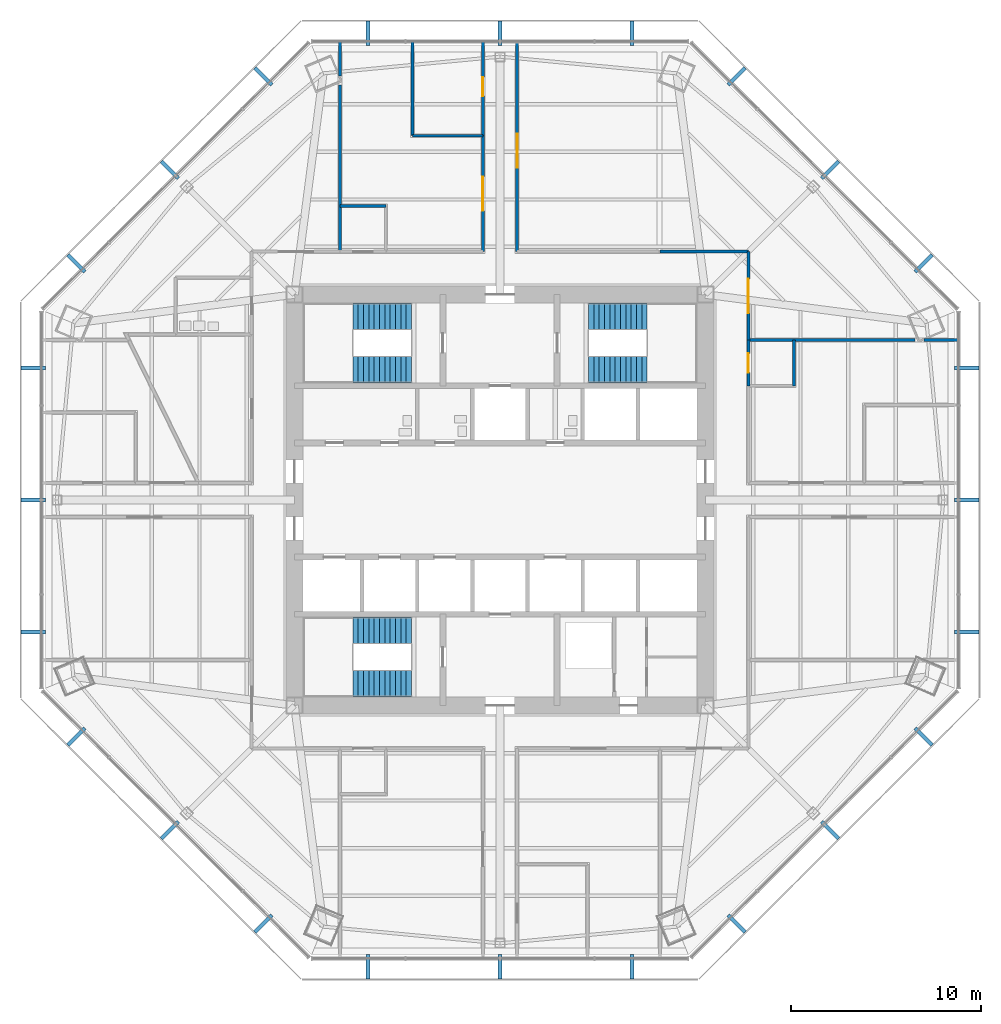
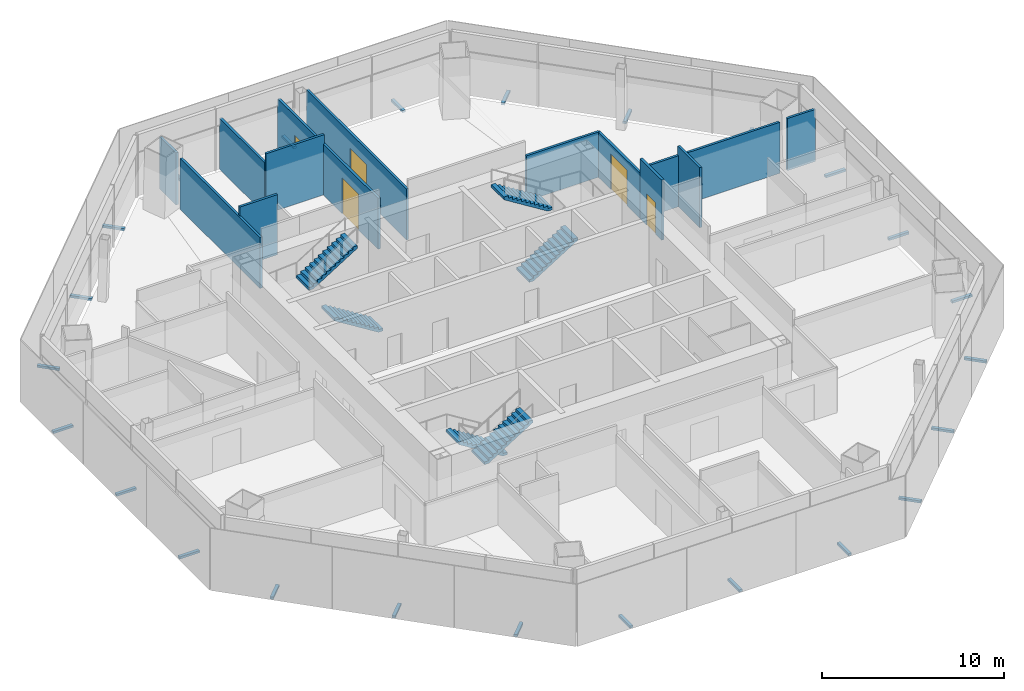
# One storey, part 11 of 14: 24 discrete accessories, 14 walls, 6 stair flights, 5 doors, 5 openings, 3 elements without a shape of their own.
"""IFC4 building model written with IfcOpenShell, lengths in metres."""

from ifc_helpers import new_model, si_unit, direction, frame, frame_2d, origin, origin_2d, place, context, subcontext, project, spatial, polyline, rectangle, outline, extrude, source, transform, mapped, material, layer, layer_set, type_object, type_shapes, element, fill, aggregate, save


model = new_model("IFC4")

# Units and contexts
model_context = context("Model", 3, precision=1e-05, world=origin(), true_north=direction((0.0, 1.0)))
body_context = subcontext(model_context, "Body", "Model", "MODEL_VIEW")
ifc_project = project(units=[si_unit("LENGTHUNIT", "METRE"), si_unit("AREAUNIT", "SQUARE_METRE"), si_unit("VOLUMEUNIT", "CUBIC_METRE"), si_unit("PLANEANGLEUNIT", "RADIAN"), si_unit("MASSUNIT", "GRAM", prefix="KILO")], contexts=[model_context])

# Site, building, storey
site_placement = place(None, origin())
site = spatial("IfcSite", under=ifc_project, at=site_placement, CompositionType="ELEMENT")
building_placement = place(site_placement, origin())
building = spatial("IfcBuilding", under=site, at=building_placement, Name="Mashrafa Tower", CompositionType="ELEMENT")
storey_placement = place(building_placement, frame((0.0, 0.0, 138.60009765625)))
storey = spatial("IfcBuildingStorey", under=building, at=storey_placement, Name="L31", CompositionType="ELEMENT", Elevation=138.60009765625)

# Wall, opening, door
ifc_material_1 = material(Name="Gypsum board on steel studs", Category="steel")
ifc_layer_1 = layer(ifc_material_1, 0.14990234375)
ifc_layer_set_1 = layer_set([ifc_layer_1], Name="Corridor partition 150 1 hr")
wall_type_1 = type_object("IfcWallType", Name="Corridor partition 150 1 hr", PredefinedType="PARTITIONING", material=ifc_layer_set_1)
wall_1_placement = place(storey_placement, frame((-0.89990234375, 24.077880859375, 0.0), z_axis=(0.0, 0.0, 1.0), x_axis=(0.0, -1.0, 0.0)))
wall_1 = element("IfcWall", 1, at=wall_1_placement, inside=storey, type_object=wall_type_1, Name="Corridor wall L31-006", PredefinedType="PARTITIONING", context=body_context, shape_type="SweptSolid", body=[
    extrude(rectangle(XDim=4.93505859375, YDim=0.14990234375, at=frame_2d((2.467529296875, 0.0))), origin(), (0.0, 0.0, 1.0), 3.425537109375),
])
opening_1_placement = place(wall_1_placement, frame((1.849609375, 0.0, 0.0)))
opening_1 = element("IfcOpeningElement", 2, at=opening_1_placement, cuts=wall_1, Name="Opening 31.005", PredefinedType="OPENING", context=body_context, shape_type="SweptSolid", body=[
    extrude(rectangle(XDim=1.0, YDim=2.10009765625, at=frame_2d((0.5, 1.050048828125))), frame((0.0, 0.0849609375, 0.0), z_axis=(0.0, -1.0, 0.0), x_axis=(1.0, 0.0, 0.0)), (0.0, 0.0, 1.0), 0.169921875),
])
ifc_material_2 = material(Name="Timber door", Category="wood")
door_type_1 = type_object("IfcDoorType", Name="Door 1000 x 2100", OperationType="USERDEFINED", PredefinedType="DOOR", material=ifc_material_2)
door_1_placement = place(opening_1_placement, frame((1.0, 0.0, 0.0), z_axis=(0.0, 0.0, 1.0), x_axis=(-1.0, 0.0, 0.0)))
door_1 = element("IfcDoor", 3, at=door_1_placement, inside=storey, type_object=door_type_1, Name="Meeting Room 31-N door", OperationType="SINGLE_SWING_RIGHT", OverallHeight=2.10009765625, OverallWidth=1.0, PredefinedType="DOOR", context=body_context, shape_type="SweptSolid", body=[
    extrude(rectangle(XDim=1.0, YDim=2.10009765625, at=frame_2d((0.5, 1.050048828125))), frame((0.0, 0.02490234375, 0.0), z_axis=(0.0, -1.0, 0.0), x_axis=(1.0, 0.0, 0.0)), (0.0, 0.0, 1.0), 0.050048828125),
])
fill(opening_1, door_1)

wall_2_placement = place(storey_placement, frame((13.050048828125, 5.9990234375, 0.0), z_axis=(0.0, 0.0, 1.0), x_axis=(0.0, 1.0, 0.0)))
wall_2 = element("IfcWall", 4, at=wall_2_placement, inside=storey, type_object=wall_type_1, Name="Corridor wall L31-008", PredefinedType="PARTITIONING", context=body_context, shape_type="SweptSolid", body=[
    extrude(rectangle(XDim=2.40185546875, YDim=0.14990234375, at=frame_2d((1.200927734375, 0.0))), origin(), (0.0, 0.0, 1.0), 4.034912109375),
])
opening_2_placement = place(wall_2_placement, frame((0.700927734375, 0.0, 0.0)))
opening_2 = element("IfcOpeningElement", 5, at=opening_2_placement, cuts=wall_2, Name="Opening 31.007", PredefinedType="OPENING", context=body_context, shape_type="SweptSolid", body=[
    extrude(rectangle(XDim=1.0, YDim=2.10009765625, at=frame_2d((0.5, 1.050048828125))), frame((0.0, 0.0849609375, 0.0), z_axis=(0.0, -1.0, 0.0), x_axis=(1.0, 0.0, 0.0)), (0.0, 0.0, 1.0), 0.169921875),
])
door_2_placement = place(opening_2_placement, frame((1.0, 0.0, 0.0), z_axis=(0.0, 0.0, 1.0), x_axis=(-1.0, 0.0, 0.0)))
door_2 = element("IfcDoor", 6, at=door_2_placement, inside=storey, type_object=door_type_1, Name="Kitchenette 31-E door", OperationType="SINGLE_SWING_RIGHT", OverallHeight=2.10009765625, OverallWidth=1.0, PredefinedType="DOOR", context=body_context, shape_type="SweptSolid", body=[
    extrude(rectangle(XDim=1.0, YDim=2.10009765625, at=frame_2d((0.5, 1.050048828125))), frame((0.0, 0.02490234375, 0.0), z_axis=(0.0, -1.0, 0.0), x_axis=(1.0, 0.0, 0.0)), (0.0, 0.0, 1.0), 0.050048828125),
])
fill(opening_2, door_2)

wall_3_placement = place(storey_placement, frame((0.89990234375, 13.050048828125, 0.0), z_axis=(0.0, 0.0, 1.0), x_axis=(0.0, 1.0, 0.0)))
wall_3 = element("IfcWall", 7, at=wall_3_placement, inside=storey, type_object=wall_type_1, Name="Corridor wall L31-012", PredefinedType="PARTITIONING", context=body_context, shape_type="SweptSolid", body=[
    extrude(rectangle(XDim=11.02783203125, YDim=0.14990234375, at=frame_2d((5.513916015625, 0.0))), origin(), (0.0, 0.0, 1.0), 3.425537109375),
])
opening_3_placement = place(wall_3_placement, frame((4.39697265625, 0.0, 0.0)))
opening_3 = element("IfcOpeningElement", 8, at=opening_3_placement, cuts=wall_3, Name="Opening 31.010", PredefinedType="OPENING", context=body_context, shape_type="SweptSolid", body=[
    extrude(rectangle(XDim=1.800048828125, YDim=2.39990234375, at=frame_2d((0.89990234375, 1.199951171875))), frame((0.0, 0.0849609375, 0.0), z_axis=(0.0, -1.0, 0.0), x_axis=(1.0, 0.0, 0.0)), (0.0, 0.0, 1.0), 0.169921875),
])
ifc_material_3 = material(Name="Timber door", Category="wood")
door_type_2 = type_object("IfcDoorType", Name="Door pair 1800 x 2400", OperationType="DOUBLE_DOOR_SINGLE_SWING", PredefinedType="DOOR", material=ifc_material_3)
door_3_placement = place(opening_3_placement, frame((1.800048828125, 0.0, 0.0), z_axis=(0.0, 0.0, 1.0), x_axis=(-1.0, 0.0, 0.0)))
door_3 = element("IfcDoor", 9, at=door_3_placement, inside=storey, type_object=door_type_2, Name="Office Suite 31-NE12 door", OperationType="DOUBLE_DOOR_SINGLE_SWING", OverallHeight=2.39990234375, OverallWidth=1.800048828125, PredefinedType="DOOR", context=body_context, shape_type="SweptSolid", body=[
    extrude(rectangle(XDim=1.800048828125, YDim=2.39990234375, at=frame_2d((0.89990234375, 1.199951171875))), frame((0.0, 0.02490234375, 0.0), z_axis=(0.0, -1.0, 0.0), x_axis=(1.0, 0.0, 0.0)), (0.0, 0.0, 1.0), 0.050048828125),
])
fill(opening_3, door_3)

wall_4_placement = place(storey_placement, frame((13.050048828125, 8.39892578125, 0.0), z_axis=(0.0, 0.0, 1.0), x_axis=(0.0, 1.0, 0.0)))
wall_4 = element("IfcWall", 10, at=wall_4_placement, inside=storey, type_object=wall_type_1, Name="Corridor wall L31-015", PredefinedType="PARTITIONING", context=body_context, shape_type="SweptSolid", body=[
    extrude(rectangle(XDim=4.651123046875, YDim=0.14990234375, at=frame_2d((2.32568359375, 0.0))), origin(), (0.0, 0.0, 1.0), 3.0419921875),
])
opening_4_placement = place(wall_4_placement, frame((1.425537109375, 0.0, 0.0)))
opening_4 = element("IfcOpeningElement", 11, at=opening_4_placement, cuts=wall_4, Name="Opening 31.012", PredefinedType="OPENING", context=body_context, shape_type="SweptSolid", body=[
    extrude(rectangle(XDim=1.800048828125, YDim=2.39990234375, at=frame_2d((0.89990234375, 1.199951171875))), frame((0.0, 0.0849609375, 0.0), z_axis=(0.0, -1.0, 0.0), x_axis=(1.0, 0.0, 0.0)), (0.0, 0.0, 1.0), 0.169921875),
])
door_4_placement = place(opening_4_placement, frame((1.800048828125, 0.0, 0.0), z_axis=(0.0, 0.0, 1.0), x_axis=(-1.0, 0.0, 0.0)))
door_4 = element("IfcDoor", 12, at=door_4_placement, inside=storey, type_object=door_type_2, Name="Office Suite 31-NE22 door", OperationType="DOUBLE_DOOR_SINGLE_SWING", OverallHeight=2.39990234375, OverallWidth=1.800048828125, PredefinedType="DOOR", context=body_context, shape_type="SweptSolid", body=[
    extrude(rectangle(XDim=1.800048828125, YDim=2.39990234375, at=frame_2d((0.89990234375, 1.199951171875))), frame((0.0, 0.02490234375, 0.0), z_axis=(0.0, -1.0, 0.0), x_axis=(1.0, 0.0, 0.0)), (0.0, 0.0, 1.0), 0.050048828125),
])
fill(opening_4, door_4)

# Wall
wall_5_placement = place(storey_placement, frame((13.050048828125, 13.050048828125, 0.0), z_axis=(0.0, 0.0, 1.0), x_axis=(-1.0, 0.0, 0.0)))
element("IfcWall", 13, at=wall_5_placement, inside=storey, type_object=wall_type_1, Name="Corridor wall L31-016", PredefinedType="PARTITIONING", context=body_context, shape_type="SweptSolid", body=[
    extrude(rectangle(XDim=4.651123046875, YDim=0.14990234375, at=frame_2d((2.32568359375, 0.0))), origin(), (0.0, 0.0, 1.0), 3.0419921875),
])

# Wall, opening, door
wall_6_placement = place(storey_placement, frame((-0.89990234375, 19.14501953125, 0.0), z_axis=(0.0, 0.0, 1.0), x_axis=(0.0, -1.0, 0.0)))
wall_6 = element("IfcWall", 14, at=wall_6_placement, inside=storey, type_object=wall_type_1, Name="Corridor wall L31-017", PredefinedType="PARTITIONING", context=body_context, shape_type="SweptSolid", body=[
    extrude(rectangle(XDim=6.094970703125, YDim=0.14990234375, at=frame_2d((3.04736328125, 0.0))), origin(), (0.0, 0.0, 1.0), 3.425537109375),
])
opening_5_placement = place(wall_6_placement, frame((2.1474609375, 0.0, 0.0)))
opening_5 = element("IfcOpeningElement", 15, at=opening_5_placement, cuts=wall_6, Name="Opening 31.013", PredefinedType="OPENING", context=body_context, shape_type="SweptSolid", body=[
    extrude(rectangle(XDim=1.800048828125, YDim=2.39990234375, at=frame_2d((0.89990234375, 1.199951171875))), frame((0.0, 0.0849609375, 0.0), z_axis=(0.0, -1.0, 0.0), x_axis=(1.0, 0.0, 0.0)), (0.0, 0.0, 1.0), 0.169921875),
])
door_5_placement = place(opening_5_placement, frame((1.800048828125, 0.0, 0.0), z_axis=(0.0, 0.0, 1.0), x_axis=(-1.0, 0.0, 0.0)))
door_5 = element("IfcDoor", 16, at=door_5_placement, inside=storey, type_object=door_type_2, Name="Office Suite 31-NW12 door", OperationType="DOUBLE_DOOR_SINGLE_SWING", OverallHeight=2.39990234375, OverallWidth=1.800048828125, PredefinedType="DOOR", context=body_context, shape_type="SweptSolid", body=[
    extrude(rectangle(XDim=1.800048828125, YDim=2.39990234375, at=frame_2d((0.89990234375, 1.199951171875))), frame((0.0, 0.02490234375, 0.0), z_axis=(0.0, -1.0, 0.0), x_axis=(1.0, 0.0, 0.0)), (0.0, 0.0, 1.0), 0.050048828125),
])
fill(opening_5, door_5)

# Walls
ifc_material_4 = material(Name="Gypsum board on steel studs", Category="steel")
ifc_layer_2 = layer(ifc_material_4, 0.14990234375)
ifc_layer_set_2 = layer_set([ifc_layer_2], Name="Partition 150")
wall_type_2 = type_object("IfcWallType", Name="Partition 150", PredefinedType="PARTITIONING", material=ifc_layer_set_2)
wall_7_placement = place(storey_placement, frame((-4.60009765625, 24.075927734375, 0.0), z_axis=(0.0, 0.0, 1.0), x_axis=(0.0, -1.0, 0.0)))
element("IfcWall", 17, at=wall_7_placement, inside=storey, type_object=wall_type_2, Name="Partition wall L31-044", PredefinedType="PARTITIONING", context=body_context, shape_type="SweptSolid", body=[
    extrude(rectangle(XDim=4.93212890625, YDim=0.14990234375, at=frame_2d((2.466064453125, 0.0))), origin(), (0.0, 0.0, 1.0), 3.425537109375),
])
wall_8_placement = place(storey_placement, frame((-4.60009765625, 19.143798828125, 0.0), z_axis=(0.0, 0.0, 1.0), x_axis=(1.0, 0.0, 0.0)))
element("IfcWall", 18, at=wall_8_placement, inside=storey, type_object=wall_type_2, Name="Partition wall L31-045", PredefinedType="PARTITIONING", context=body_context, shape_type="SweptSolid", body=[
    extrude(rectangle(XDim=3.7001953125, YDim=0.14990234375, at=frame_2d((1.85009765625, 0.0))), origin(), (0.0, 0.0, 1.0), 4.034912109375),
])
wall_9_placement = place(storey_placement, frame((15.449951171875, 6.0, 0.0), z_axis=(0.0, 0.0, 1.0), x_axis=(0.0, 1.0, 0.0)))
element("IfcWall", 19, at=wall_9_placement, inside=storey, type_object=wall_type_2, Name="Partition wall L31-049", PredefinedType="PARTITIONING", context=body_context, shape_type="SweptSolid", body=[
    extrude(rectangle(XDim=2.39990234375, YDim=0.14990234375, at=frame_2d((1.199951171875, 0.0))), origin(), (0.0, 0.0, 1.0), 4.034912109375),
])
wall_10_placement = place(storey_placement, frame((13.050048828125, 8.39990234375, 0.0), z_axis=(0.0, 0.0, 1.0), x_axis=(1.0, 0.0, 0.0)))
element("IfcWall", 20, at=wall_10_placement, inside=storey, type_object=wall_type_2, Name="Partition wall L31-050", PredefinedType="PARTITIONING", context=body_context, shape_type="SweptSolid", body=[
    extrude(rectangle(XDim=8.76025390625, YDim=0.14990234375, at=frame_2d((4.380126953125, 0.0))), origin(), (0.0, 0.0, 1.0), 3.425537109375),
])
wall_11_placement = place(storey_placement, frame((-6.0, 15.449951171875, 0.0), z_axis=(0.0, 0.0, 1.0), x_axis=(-1.0, 0.0, 0.0)))
element("IfcWall", 21, at=wall_11_placement, inside=storey, type_object=wall_type_2, Name="Partition wall L31-052", PredefinedType="PARTITIONING", context=body_context, shape_type="SweptSolid", body=[
    extrude(rectangle(XDim=2.39990234375, YDim=0.14990234375, at=frame_2d((1.199951171875, 0.0))), origin(), (0.0, 0.0, 1.0), 4.034912109375),
])
wall_12_placement = place(storey_placement, frame((-8.39990234375, 13.050048828125, 0.0), z_axis=(0.0, 0.0, 1.0), x_axis=(0.0, 1.0, 0.0)))
element("IfcWall", 22, at=wall_12_placement, inside=storey, type_object=wall_type_2, Name="Partition wall L31-053", PredefinedType="PARTITIONING", context=body_context, shape_type="SweptSolid", body=[
    extrude(rectangle(XDim=8.76025390625, YDim=0.14990234375, at=frame_2d((4.380126953125, 0.0))), origin(), (0.0, 0.0, 1.0), 3.425537109375),
])
for number, where, z_axis, x_axis, name in (
    (23, (24.075927734375, 8.39990234375, 0.0), (0.0, 0.0, 1.0), (-1.0, 0.0, 0.0), "Partition wall L31-057"),
    (24, (-8.39990234375, 24.075927734375, 0.0), (0.0, 0.0, 1.0), (0.0, -1.0, 0.0), "Partition wall L31-059"),
):
    element("IfcWall", number, at=place(storey_placement, frame(where, z_axis=z_axis, x_axis=x_axis)), inside=storey, type_object=wall_type_2, Name=name, PredefinedType="PARTITIONING", context=body_context, shape_type="SweptSolid", body=[
        extrude(rectangle(XDim=1.787109375, YDim=0.14990234375, at=frame_2d((0.8935546875, 0.0))), origin(), (0.0, 0.0, 1.0), 3.4990234375),
    ])

# Stair, stair flights
ifc_material_5 = material(Name="Exit stair 1400")
stair_type = type_object("IfcStairType", Name="Exit stair 1400", PredefinedType="HALF_TURN_STAIR", material=ifc_material_5)
stair_1_placement = place(storey_placement, origin())
stair_1 = element("IfcStair", 25, at=stair_1_placement, inside=storey, type_object=stair_type, Name="Stair S1 L31", PredefinedType="HALF_TURN_STAIR")
ifc_material_6 = material(Name="Concrete C32/40", Category="concrete")
stair_flight_type = type_object("IfcStairFlightType", Name="Stair flight 1400", PredefinedType="STRAIGHT", material=ifc_material_6)
stair_flight_1_placement = place(storey_placement, frame((-4.64990234375, 6.85009765625, 0.0), z_axis=(0.0, 0.0, 1.0), x_axis=(-1.0, 0.0, 0.0)))
stair_flight_1 = element("IfcStairFlight", 26, at=stair_flight_1_placement, type_object=stair_flight_type, Name="S1 flight 1", NumberOfRisers=12, NumberOfTreads=11, PredefinedType="STRAIGHT", RiserHeight=0.175, TreadLength=0.28, context=body_context, shape_type="SweptSolid", body=[
    extrude(outline(polyline([(0.0, 0.0), (0.0, 0.175048828125), (0.280029296875, 0.175048828125), (0.280029296875, 0.35009765625), (0.56005859375, 0.35009765625), (0.56005859375, 0.52490234375), (0.840087890625, 0.52490234375), (0.840087890625, 0.699951171875), (1.1201171875, 0.699951171875), (1.1201171875, 0.875), (1.39990234375, 0.875), (1.39990234375, 1.050048828125), (1.679931640625, 1.050048828125), (1.679931640625, 1.22509765625), (1.9599609375, 1.22509765625), (1.9599609375, 1.39990234375), (2.239990234375, 1.39990234375), (2.239990234375, 1.574951171875), (2.52001953125, 1.574951171875), (2.52001953125, 1.75), (2.800048828125, 1.75), (2.800048828125, 1.925048828125), (3.080078125, 1.925048828125), (3.080078125, 2.10009765625), (3.080078125, 1.748291015625), (0.28271484375, 0.0), (0.0, 0.0)])), frame((0.0, 0.699951171875, 0.0), z_axis=(0.0, -1.0, 0.0), x_axis=(1.0, 0.0, 0.0)), (0.0, 0.0, 1.0), 1.39990234375),
])
stair_flight_2_placement = place(storey_placement, frame((-7.72998046875, 9.64990234375, 2.099853515625), z_axis=(0.0, 0.0, 1.0), x_axis=(1.0, 0.0, 0.0)))
stair_flight_2 = element("IfcStairFlight", 27, at=stair_flight_2_placement, type_object=stair_flight_type, Name="S1 flight 2", NumberOfRisers=12, NumberOfTreads=11, PredefinedType="STRAIGHT", RiserHeight=0.175, TreadLength=0.28, context=body_context, shape_type="SweptSolid", body=[
    extrude(outline(polyline([(0.0, 0.0), (0.0, 0.175048828125), (0.280029296875, 0.175048828125), (0.280029296875, 0.35009765625), (0.56005859375, 0.35009765625), (0.56005859375, 0.52490234375), (0.840087890625, 0.52490234375), (0.840087890625, 0.699951171875), (1.1201171875, 0.699951171875), (1.1201171875, 0.875), (1.39990234375, 0.875), (1.39990234375, 1.050048828125), (1.679931640625, 1.050048828125), (1.679931640625, 1.22509765625), (1.9599609375, 1.22509765625), (1.9599609375, 1.39990234375), (2.239990234375, 1.39990234375), (2.239990234375, 1.574951171875), (2.52001953125, 1.574951171875), (2.52001953125, 1.75), (2.800048828125, 1.75), (2.800048828125, 1.925048828125), (3.080078125, 1.925048828125), (3.080078125, 2.10009765625), (3.080078125, 1.748291015625), (0.28271484375, 0.0), (0.0, 0.0)])), frame((0.0, 0.699951171875, 0.0), z_axis=(0.0, -1.0, 0.0), x_axis=(1.0, 0.0, 0.0)), (0.0, 0.0, 1.0), 1.39990234375),
])
aggregate(stair_1, [stair_flight_1, stair_flight_2])

stair_2_placement = place(storey_placement, origin())
stair_2 = element("IfcStair", 28, at=stair_2_placement, inside=storey, type_object=stair_type, Name="Stair S2 L31", PredefinedType="HALF_TURN_STAIR")
stair_flight_3_placement = place(storey_placement, frame((4.64990234375, 6.85009765625, 0.0), z_axis=(0.0, 0.0, 1.0), x_axis=(1.0, 0.0, 0.0)))
stair_flight_3 = element("IfcStairFlight", 29, at=stair_flight_3_placement, type_object=stair_flight_type, Name="S2 flight 1", NumberOfRisers=12, NumberOfTreads=11, PredefinedType="STRAIGHT", RiserHeight=0.175, TreadLength=0.28, context=body_context, shape_type="SweptSolid", body=[
    extrude(outline(polyline([(0.0, 0.0), (0.0, 0.175048828125), (0.280029296875, 0.175048828125), (0.280029296875, 0.35009765625), (0.56005859375, 0.35009765625), (0.56005859375, 0.52490234375), (0.840087890625, 0.52490234375), (0.840087890625, 0.699951171875), (1.1201171875, 0.699951171875), (1.1201171875, 0.875), (1.39990234375, 0.875), (1.39990234375, 1.050048828125), (1.679931640625, 1.050048828125), (1.679931640625, 1.22509765625), (1.9599609375, 1.22509765625), (1.9599609375, 1.39990234375), (2.239990234375, 1.39990234375), (2.239990234375, 1.574951171875), (2.52001953125, 1.574951171875), (2.52001953125, 1.75), (2.800048828125, 1.75), (2.800048828125, 1.925048828125), (3.080078125, 1.925048828125), (3.080078125, 2.10009765625), (3.080078125, 1.748291015625), (0.28271484375, 0.0), (0.0, 0.0)])), frame((0.0, 0.699951171875, 0.0), z_axis=(0.0, -1.0, 0.0), x_axis=(1.0, 0.0, 0.0)), (0.0, 0.0, 1.0), 1.39990234375),
])
stair_flight_4_placement = place(storey_placement, frame((7.72998046875, 9.64990234375, 2.099853515625), z_axis=(0.0, 0.0, 1.0), x_axis=(-1.0, 0.0, 0.0)))
stair_flight_4 = element("IfcStairFlight", 30, at=stair_flight_4_placement, type_object=stair_flight_type, Name="S2 flight 2", NumberOfRisers=12, NumberOfTreads=11, PredefinedType="STRAIGHT", RiserHeight=0.175, TreadLength=0.28, context=body_context, shape_type="SweptSolid", body=[
    extrude(outline(polyline([(0.0, 0.0), (0.0, 0.175048828125), (0.280029296875, 0.175048828125), (0.280029296875, 0.35009765625), (0.56005859375, 0.35009765625), (0.56005859375, 0.52490234375), (0.840087890625, 0.52490234375), (0.840087890625, 0.699951171875), (1.1201171875, 0.699951171875), (1.1201171875, 0.875), (1.39990234375, 0.875), (1.39990234375, 1.050048828125), (1.679931640625, 1.050048828125), (1.679931640625, 1.22509765625), (1.9599609375, 1.22509765625), (1.9599609375, 1.39990234375), (2.239990234375, 1.39990234375), (2.239990234375, 1.574951171875), (2.52001953125, 1.574951171875), (2.52001953125, 1.75), (2.800048828125, 1.75), (2.800048828125, 1.925048828125), (3.080078125, 1.925048828125), (3.080078125, 2.10009765625), (3.080078125, 1.748291015625), (0.28271484375, 0.0), (0.0, 0.0)])), frame((0.0, 0.699951171875, 0.0), z_axis=(0.0, -1.0, 0.0), x_axis=(1.0, 0.0, 0.0)), (0.0, 0.0, 1.0), 1.39990234375),
])
aggregate(stair_2, [stair_flight_3, stair_flight_4])

stair_3_placement = place(storey_placement, origin())
stair_3 = element("IfcStair", 31, at=stair_3_placement, inside=storey, type_object=stair_type, Name="Stair S3 L31", PredefinedType="HALF_TURN_STAIR")
stair_flight_5_placement = place(storey_placement, frame((-4.64990234375, -6.85009765625, 0.0), z_axis=(0.0, 0.0, 1.0), x_axis=(-1.0, 0.0, 0.0)))
stair_flight_5 = element("IfcStairFlight", 32, at=stair_flight_5_placement, type_object=stair_flight_type, Name="S3 flight 1", NumberOfRisers=12, NumberOfTreads=11, PredefinedType="STRAIGHT", RiserHeight=0.175, TreadLength=0.28, context=body_context, shape_type="SweptSolid", body=[
    extrude(outline(polyline([(0.0, 0.0), (0.0, 0.175048828125), (0.280029296875, 0.175048828125), (0.280029296875, 0.35009765625), (0.56005859375, 0.35009765625), (0.56005859375, 0.52490234375), (0.840087890625, 0.52490234375), (0.840087890625, 0.699951171875), (1.1201171875, 0.699951171875), (1.1201171875, 0.875), (1.39990234375, 0.875), (1.39990234375, 1.050048828125), (1.679931640625, 1.050048828125), (1.679931640625, 1.22509765625), (1.9599609375, 1.22509765625), (1.9599609375, 1.39990234375), (2.239990234375, 1.39990234375), (2.239990234375, 1.574951171875), (2.52001953125, 1.574951171875), (2.52001953125, 1.75), (2.800048828125, 1.75), (2.800048828125, 1.925048828125), (3.080078125, 1.925048828125), (3.080078125, 2.10009765625), (3.080078125, 1.748291015625), (0.28271484375, 0.0), (0.0, 0.0)])), frame((0.0, 0.699951171875, 0.0), z_axis=(0.0, -1.0, 0.0), x_axis=(1.0, 0.0, 0.0)), (0.0, 0.0, 1.0), 1.39990234375),
])
stair_flight_6_placement = place(storey_placement, frame((-7.72998046875, -9.64990234375, 2.099853515625), z_axis=(0.0, 0.0, 1.0), x_axis=(1.0, 0.0, 0.0)))
stair_flight_6 = element("IfcStairFlight", 33, at=stair_flight_6_placement, type_object=stair_flight_type, Name="S3 flight 2", NumberOfRisers=12, NumberOfTreads=11, PredefinedType="STRAIGHT", RiserHeight=0.175, TreadLength=0.28, context=body_context, shape_type="SweptSolid", body=[
    extrude(outline(polyline([(0.0, 0.0), (0.0, 0.175048828125), (0.280029296875, 0.175048828125), (0.280029296875, 0.35009765625), (0.56005859375, 0.35009765625), (0.56005859375, 0.52490234375), (0.840087890625, 0.52490234375), (0.840087890625, 0.699951171875), (1.1201171875, 0.699951171875), (1.1201171875, 0.875), (1.39990234375, 0.875), (1.39990234375, 1.050048828125), (1.679931640625, 1.050048828125), (1.679931640625, 1.22509765625), (1.9599609375, 1.22509765625), (1.9599609375, 1.39990234375), (2.239990234375, 1.39990234375), (2.239990234375, 1.574951171875), (2.52001953125, 1.574951171875), (2.52001953125, 1.75), (2.800048828125, 1.75), (2.800048828125, 1.925048828125), (3.080078125, 1.925048828125), (3.080078125, 2.10009765625), (3.080078125, 1.748291015625), (0.28271484375, 0.0), (0.0, 0.0)])), frame((0.0, 0.699951171875, 0.0), z_axis=(0.0, -1.0, 0.0), x_axis=(1.0, 0.0, 0.0)), (0.0, 0.0, 1.0), 1.39990234375),
])
aggregate(stair_3, [stair_flight_5, stair_flight_6])

# Discrete accessories
ifc_material_7 = material(Name="Stainless steel screen bracket", Category="steel")
discrete_accessory_type = type_object("IfcDiscreteAccessoryType", Name="Screen support bracket 200 x 150", PredefinedType="BRACKET", material=ifc_material_7)
shared_shape = source(origin(), body_context, "Body", "SweptSolid", [
    extrude(rectangle(XDim=0.199951171875, YDim=1.27001953125, at=origin_2d()), origin(), (0.0, 0.0, 1.0), 0.14990234375),
])
type_shapes(discrete_accessory_type, [shared_shape])
for number, where, z_axis, x_axis, name in (
    (34, (24.52880859375, -6.942138671875, -0.150146484375), (0.0, 0.0, 1.0), (0.0, 1.0, 0.0), "Screen support bracket L31 east 1"),
    (35, (24.52880859375, 0.0, -0.150146484375), (0.0, 0.0, 1.0), (0.0, 1.0, 0.0), "Screen support bracket L31 east 2"),
    (36, (24.52880859375, 6.942138671875, -0.150146484375), (0.0, 0.0, 1.0), (0.0, 1.0, 0.0), "Screen support bracket L31 east 3"),
    (37, (22.25341796875, 12.435791015625, -0.150146484375), (0.0, 0.0, 1.0), (-0.707106781187, 0.707106781187, 0.0), "Screen support bracket L31 north-east 1"),
    (38, (17.344482421875, 17.344482421875, -0.150146484375), (0.0, 0.0, 1.0), (-0.707106781187, 0.707106781187, 0.0), "Screen support bracket L31 north-east 2"),
    (39, (12.435791015625, 22.25341796875, -0.150146484375), (0.0, 0.0, 1.0), (-0.707106781187, 0.707106781187, 0.0), "Screen support bracket L31 north-east 3"),
    (40, (6.942138671875, 24.52880859375, -0.150146484375), (0.0, 0.0, 1.0), (-1.0, 0.0, 0.0), "Screen support bracket L31 north 1"),
    (41, (0.0, 24.52880859375, -0.150146484375), (0.0, 0.0, 1.0), (-1.0, 0.0, 0.0), "Screen support bracket L31 north 2"),
    (42, (-6.942138671875, 24.52880859375, -0.150146484375), (0.0, 0.0, 1.0), (-1.0, 0.0, 0.0), "Screen support bracket L31 north 3"),
    (43, (-12.435791015625, 22.25341796875, -0.150146484375), (0.0, 0.0, 1.0), (-0.707106781187, -0.707106781187, 0.0), "Screen support bracket L31 north-west 1"),
    (44, (-17.344482421875, 17.344482421875, -0.150146484375), (0.0, 0.0, 1.0), (-0.707106781187, -0.707106781187, 0.0), "Screen support bracket L31 north-west 2"),
    (45, (-22.25341796875, 12.435791015625, -0.150146484375), (0.0, 0.0, 1.0), (-0.707106781187, -0.707106781187, 0.0), "Screen support bracket L31 north-west 3"),
    (46, (-24.52880859375, 6.942138671875, -0.150146484375), (0.0, 0.0, 1.0), (0.0, -1.0, 0.0), "Screen support bracket L31 west 1"),
    (47, (-24.52880859375, 0.0, -0.150146484375), (0.0, 0.0, 1.0), (0.0, -1.0, 0.0), "Screen support bracket L31 west 2"),
    (48, (-24.52880859375, -6.942138671875, -0.150146484375), (0.0, 0.0, 1.0), (0.0, -1.0, 0.0), "Screen support bracket L31 west 3"),
    (49, (-22.25341796875, -12.435791015625, -0.150146484375), (0.0, 0.0, 1.0), (0.707106781187, -0.707106781187, 0.0), "Screen support bracket L31 south-west 1"),
    (50, (-17.344482421875, -17.344482421875, -0.150146484375), (0.0, 0.0, 1.0), (0.707106781187, -0.707106781187, 0.0), "Screen support bracket L31 south-west 2"),
    (51, (-12.435791015625, -22.25341796875, -0.150146484375), (0.0, 0.0, 1.0), (0.707106781187, -0.707106781187, 0.0), "Screen support bracket L31 south-west 3"),
    (52, (-6.942138671875, -24.52880859375, -0.150146484375), (0.0, 0.0, 1.0), (1.0, 0.0, 0.0), "Screen support bracket L31 south 1"),
    (53, (0.0, -24.52880859375, -0.150146484375), (0.0, 0.0, 1.0), (1.0, 0.0, 0.0), "Screen support bracket L31 south 2"),
    (54, (6.942138671875, -24.52880859375, -0.150146484375), (0.0, 0.0, 1.0), (1.0, 0.0, 0.0), "Screen support bracket L31 south 3"),
    (55, (12.435791015625, -22.25341796875, -0.150146484375), (0.0, 0.0, 1.0), (0.707106781187, 0.707106781187, 0.0), "Screen support bracket L31 south-east 1"),
    (56, (17.344482421875, -17.344482421875, -0.150146484375), (0.0, 0.0, 1.0), (0.707106781187, 0.707106781187, 0.0), "Screen support bracket L31 south-east 2"),
    (57, (22.25341796875, -12.435791015625, -0.150146484375), (0.0, 0.0, 1.0), (0.707106781187, 0.707106781187, 0.0), "Screen support bracket L31 south-east 3"),
):
    element("IfcDiscreteAccessory", number, at=place(storey_placement, frame(where, z_axis=z_axis, x_axis=x_axis)), inside=storey, type_object=discrete_accessory_type, Name=name, PredefinedType="BRACKET", context=body_context, shape_type="MappedRepresentation", body=[
        mapped(shared_shape, transform((0.0, 0.0, 0.0))),
    ])

save(model, "model.ifc")
